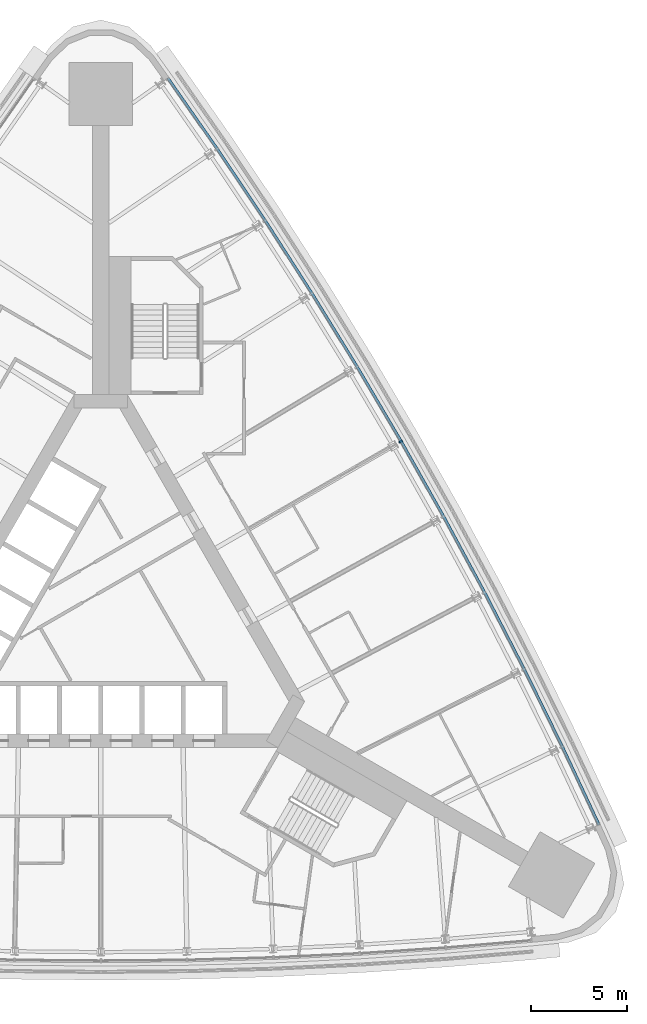
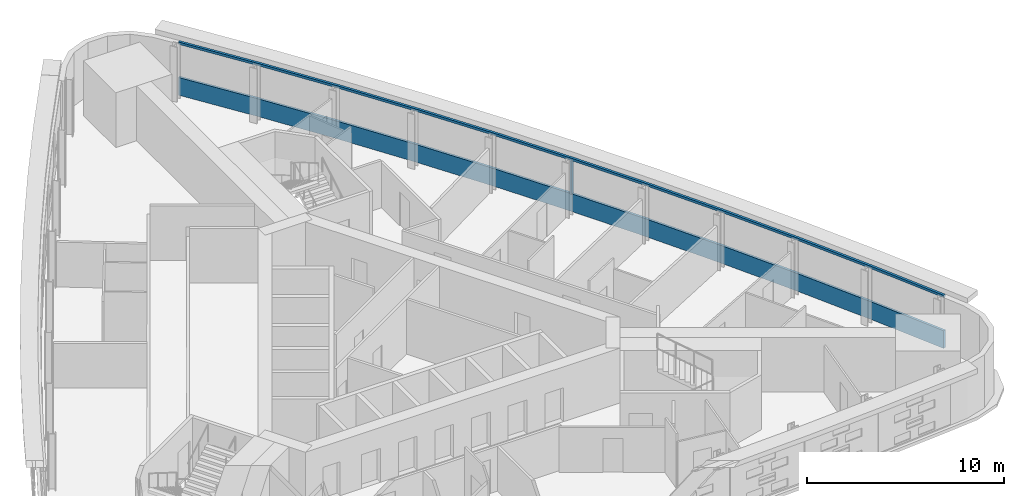
# One storey, part 7 of 15: 3 members, 1 element without a shape of its own.
"""IFC4 building model written with IfcOpenShell, lengths in metres."""

from ifc_helpers import new_model, si_unit, direction, frame, origin, origin_2d, place, context, subcontext, project, spatial, polyline, rectangle, outline, extrude, material, material_profile, profile_set, type_object, element, aggregate, save


model = new_model("IFC4")

# Units and contexts
model_context = context("Model", 3, precision=1e-05, world=origin(), true_north=direction((0.0, 1.0)))
body_context = subcontext(model_context, "Body", "Model", "MODEL_VIEW")
ifc_project = project(units=[si_unit("LENGTHUNIT", "METRE"), si_unit("AREAUNIT", "SQUARE_METRE"), si_unit("VOLUMEUNIT", "CUBIC_METRE"), si_unit("PLANEANGLEUNIT", "RADIAN"), si_unit("MASSUNIT", "GRAM", prefix="KILO")], contexts=[model_context])

# Site, building, storey
site_placement = place(None, origin())
site = spatial("IfcSite", under=ifc_project, at=site_placement, CompositionType="ELEMENT")
building_placement = place(site_placement, origin())
building = spatial("IfcBuilding", under=site, at=building_placement, Name="Noor Cloister Tower", CompositionType="ELEMENT")
storey_placement = place(building_placement, frame((0.0, 0.0, 45.60009765625)))
storey = spatial("IfcBuildingStorey", under=building, at=storey_placement, Name="L11", CompositionType="ELEMENT", Elevation=45.60009765625)

# Curtain wall, members
ifc_material_1 = material(Name="Aluminium 6063-T6 anodised", Category="aluminium")
curtain_wall_type = type_object("IfcCurtainWallType", Name="Ribbon curtain wall, lower tower CW1", PredefinedType="NOTDEFINED", material=ifc_material_1)
curtain_wall_placement = place(storey_placement, origin())
curtain_wall = element("IfcCurtainWall", 1, at=curtain_wall_placement, inside=storey, type_object=curtain_wall_type, Name="CW1 L11 NE run 3", PredefinedType="NOTDEFINED")
ifc_material_2 = material(Name="Aluminium 6063-T6 anodised", Category="aluminium")
member_type_1 = type_object("IfcMemberType", Name="Head transom CW1 150", PredefinedType="USERDEFINED", material=ifc_material_2)
member_1_placement = place(storey_placement, frame((0.0, 0.0, 3.14990234375)))
member_1 = element("IfcMember", 2, at=member_1_placement, type_object=member_type_1, Name="CW1 head transom", ObjectType="TRANSOM", PredefinedType="USERDEFINED", context=body_context, shape_type="SweptSolid", body=[
    extrude(outline(polyline([(26.014404296875, -10.922607421875), (24.10400390625, -6.848388671875), (22.11669921875, -2.81103515625), (20.053466796875, 1.18798828125), (17.9150390625, 5.1474609375), (15.7021484375, 9.065673828125), (13.415283203125, 12.941162109375), (11.0556640625, 16.77294921875), (8.6240234375, 20.55908203125), (6.12109375, 24.298828125), (3.548095703125, 27.990478515625), (3.43310546875, 27.910400390625), (6.005615234375, 24.219970703125), (8.5068359375, 20.482421875), (10.937255859375, 16.6982421875), (13.29541015625, 12.868896484375), (15.580810546875, 8.99560546875), (17.79248046875, 5.079833984375), (19.9296875, 1.122802734375), (21.99169921875, -2.8740234375), (23.977783203125, -6.908935546875), (25.8876953125, -10.98193359375), (26.014404296875, -10.922607421875)])), origin(), (0.0, 0.0, 1.0), 0.14990234375),
])
ifc_material_3 = material(Name="Aluminium 6063-T6 anodised", Category="aluminium")
ifc_material_profile = material_profile(ifc_material_3, rectangle(XDim=0.199951171875, YDim=0.080078125, at=origin_2d()), Name="200 x 80 mullion")
ifc_profile_set = profile_set([ifc_material_profile], Name="Aluminium 6063-T6 anodised")
member_type_2 = type_object("IfcMemberType", Name="Mullion CW1 80 x 200", PredefinedType="MULLION", material=ifc_profile_set)
member_2_placement = place(storey_placement, frame((15.615478515625, 9.015625, 1.099853515625), z_axis=(0.0, 0.0, 1.0), x_axis=(-0.866025403784, -0.5, 0.0)))
member_2 = element("IfcMember", 3, at=member_2_placement, type_object=member_type_2, Name="CW1 mullion 6", PredefinedType="MULLION", context=body_context, shape_type="SweptSolid", body=[
    extrude(rectangle(XDim=0.199951171875, YDim=0.080078125, at=origin_2d()), origin(), (0.0, 0.0, 1.0), 2.050048828125),
])
ifc_material_4 = material(Name="Aluminium 6063-T6 anodised", Category="aluminium")
member_type_3 = type_object("IfcMemberType", Name="Sill transom CW1 1100", PredefinedType="USERDEFINED", material=ifc_material_4)
member_3_placement = place(storey_placement, origin())
member_3 = element("IfcMember", 4, at=member_3_placement, type_object=member_type_3, Name="CW1 sill transom", ObjectType="TRANSOM", PredefinedType="USERDEFINED", context=body_context, shape_type="SweptSolid", body=[
    extrude(outline(polyline([(26.014404296875, -10.922607421875), (24.10400390625, -6.848388671875), (22.11669921875, -2.81103515625), (20.053466796875, 1.18798828125), (17.9150390625, 5.1474609375), (15.7021484375, 9.065673828125), (13.415283203125, 12.941162109375), (11.0556640625, 16.77294921875), (8.6240234375, 20.55908203125), (6.12109375, 24.298828125), (3.548095703125, 27.990478515625), (3.43310546875, 27.910400390625), (6.005615234375, 24.219970703125), (8.5068359375, 20.482421875), (10.937255859375, 16.6982421875), (13.29541015625, 12.868896484375), (15.580810546875, 8.99560546875), (17.79248046875, 5.079833984375), (19.9296875, 1.122802734375), (21.99169921875, -2.8740234375), (23.977783203125, -6.908935546875), (25.8876953125, -10.98193359375), (26.014404296875, -10.922607421875)])), origin(), (0.0, 0.0, 1.0), 1.099853515625),
])
aggregate(curtain_wall, [member_2, member_3, member_1])

save(model, "model.ifc")
